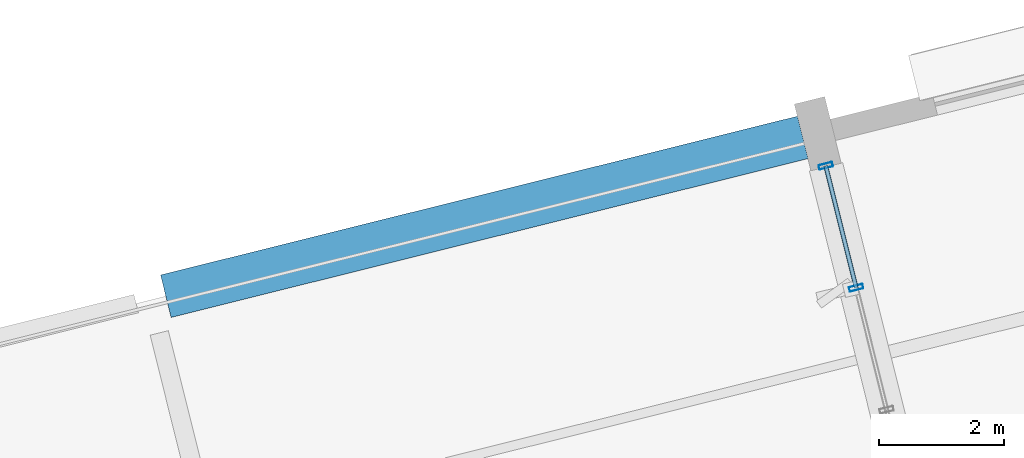
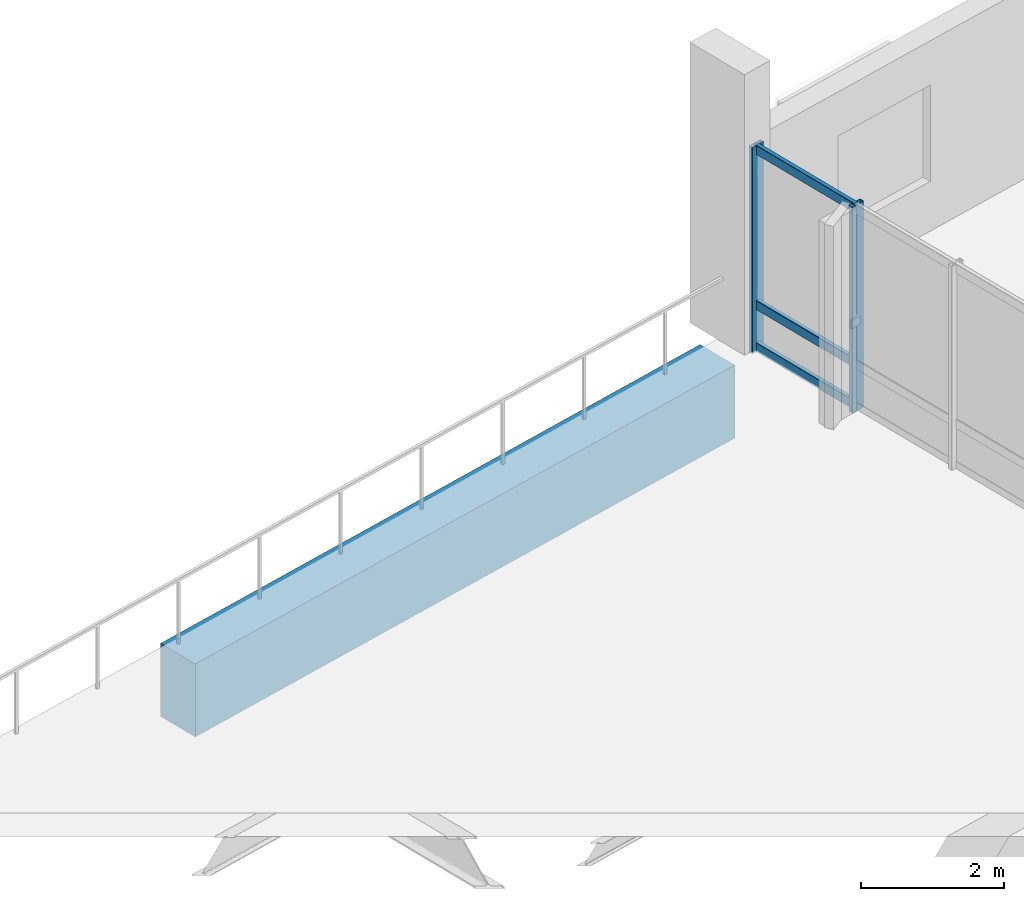
# One storey, part 90 of 137: 5 members, 1 beam, 1 element without a shape of its own.
"""IFC4 building model written with IfcOpenShell, lengths in metres."""

from ifc_helpers import new_model, si_unit, direction, frame, origin, origin_2d, place, context, subcontext, project, spatial, rectangle, hollow_rectangle, extrude, material, layer, layer_set, material_profile, profile_set, type_object, element, aggregate, save


model = new_model("IFC4")

# Units and contexts
model_context = context("Model", 3, precision=1e-05, world=origin(), true_north=direction((0.0, 1.0)))
body_context = subcontext(model_context, "Body", "Model", "MODEL_VIEW")
ifc_project = project(units=[si_unit("LENGTHUNIT", "METRE"), si_unit("AREAUNIT", "SQUARE_METRE"), si_unit("VOLUMEUNIT", "CUBIC_METRE"), si_unit("PLANEANGLEUNIT", "RADIAN"), si_unit("MASSUNIT", "GRAM", prefix="KILO")], contexts=[model_context])

# Site, building, storey
site_placement = place(None, origin())
site = spatial("IfcSite", under=ifc_project, at=site_placement, CompositionType="ELEMENT")
building_placement = place(site_placement, origin())
building = spatial("IfcBuilding", under=site, at=building_placement, Name="Khorjan Park Terminus", CompositionType="ELEMENT")
storey_placement = place(building_placement, frame((0.0, 0.0, 11.4)))
storey = spatial("IfcBuildingStorey", under=building, at=storey_placement, Name="L02", CompositionType="ELEMENT", Elevation=11.4)

# Beam
ifc_material_1 = material(Name="Concrete C40/50", Category="concrete")
ifc_material_profile_1 = material_profile(ifc_material_1, rectangle(XDim=0.7, YDim=1.25, at=origin_2d()), Name="RC 700x1250")
ifc_profile_set_1 = profile_set([ifc_material_profile_1], Name="Concrete C40/50")
beam_type = type_object("IfcBeamType", Name="BM-RC700x1250", PredefinedType="BEAM", material=ifc_profile_set_1)
beam_placement = place(storey_placement, frame((160.9441, 68.7599, -0.895), z_axis=(0.970295661671, 0.241922154716, 0.0), x_axis=(-0.241922154716, 0.970295661671, 0.0)))
element("IfcBeam", 1, at=beam_placement, inside=storey, type_object=beam_type, Name="Primary skew-grid floor girder GB-125 (L02)", PredefinedType="BEAM", context=body_context, shape_type="SweptSolid", body=[
    extrude(rectangle(XDim=0.7, YDim=1.25, at=origin_2d()), origin(), (0.0, 0.0, 1.0), 10.51),
])

# Curtain wall, members
ifc_material_2 = material(Name="Anodized Bronze Aluminium", Category="aluminium")
ifc_layer = layer(ifc_material_2, 0.22)
ifc_layer_set = layer_set([ifc_layer], Name="Anodized Bronze Aluminium")
curtain_wall_type = type_object("IfcCurtainWallType", Name="CW-OPS-B", PredefinedType="NOTDEFINED", material=ifc_layer_set)
curtain_wall_placement = place(storey_placement, origin())
curtain_wall = element("IfcCurtainWall", 2, at=curtain_wall_placement, inside=storey, type_object=curtain_wall_type, Name="Unitized curtain wall CW-B (CW-V5-NW1-L02-B01)", PredefinedType="NOTDEFINED")
ifc_material_profile_2 = material_profile(ifc_material_2, hollow_rectangle(XDim=0.075, YDim=0.225, WallThickness=0.005, InnerFilletRadius=0.005, OuterFilletRadius=0.01, at=origin_2d()), Name="ALM 75x225x5")
ifc_profile_set_2 = profile_set([ifc_material_profile_2], Name="Anodized Bronze Aluminium")
member_type_1 = type_object("IfcMemberType", Name="ML-ALM-225", PredefinedType="MULLION", material=ifc_profile_set_2)
member_1_placement = place(storey_placement, frame((171.5079, 70.8477, -0.035), z_axis=(0.0, 0.0, 1.0), x_axis=(0.241920791413, -0.97029600158, 0.0)))
member_1 = element("IfcMember", 3, at=member_1_placement, type_object=member_type_1, Name="Curtain-wall mullion ML-22 (CW-V5-NW1-L02-B01-0)", PredefinedType="MULLION", context=body_context, shape_type="SweptSolid", body=[
    extrude(hollow_rectangle(XDim=0.075, YDim=0.225, WallThickness=0.005, InnerFilletRadius=0.005, OuterFilletRadius=0.01, at=origin_2d()), origin(), (0.0, 0.0, 1.0), 3.525),
])
member_2_placement = place(storey_placement, frame((171.9949, 68.8944, -0.035), z_axis=(0.0, 0.0, 1.0), x_axis=(0.241920791413, -0.97029600158, 0.0)))
member_2 = element("IfcMember", 4, at=member_2_placement, type_object=member_type_1, Name="Curtain-wall mullion ML-22 (CW-V5-NW1-L02-B01-1)", PredefinedType="MULLION", context=body_context, shape_type="SweptSolid", body=[
    extrude(hollow_rectangle(XDim=0.075, YDim=0.225, WallThickness=0.005, InnerFilletRadius=0.005, OuterFilletRadius=0.01, at=origin_2d()), origin(), (0.0, 0.0, 1.0), 3.525),
])
ifc_material_profile_3 = material_profile(ifc_material_2, hollow_rectangle(XDim=0.07, YDim=0.16, WallThickness=0.004, InnerFilletRadius=0.004, OuterFilletRadius=0.008, at=origin_2d()), Name="ALT 70x160x4")
ifc_profile_set_3 = profile_set([ifc_material_profile_3], Name="Anodized Bronze Aluminium")
member_type_2 = type_object("IfcMemberType", Name="TR-ALT-160", PredefinedType="USERDEFINED", material=ifc_profile_set_3)
member_3_placement = place(storey_placement, frame((171.5079, 70.8477, 0.04), z_axis=(0.241916102061, -0.970297170749, 0.0), x_axis=(0.970297170749, 0.241916102061, 0.0)))
member_3 = element("IfcMember", 5, at=member_3_placement, type_object=member_type_2, Name="Curtain-wall transom TR-16 (CW-V5-NW1-L02-B01-0-1)", ObjectType="TRANSOM", PredefinedType="USERDEFINED", context=body_context, shape_type="SweptSolid", body=[
    extrude(hollow_rectangle(XDim=0.07, YDim=0.16, WallThickness=0.004, InnerFilletRadius=0.004, OuterFilletRadius=0.008, at=origin_2d()), origin(), (0.0, 0.0, 1.0), 2.0131),
])
member_4_placement = place(storey_placement, frame((171.5079, 70.8477, 0.76), z_axis=(0.241916102061, -0.970297170749, 0.0), x_axis=(0.970297170749, 0.241916102061, 0.0)))
member_4 = element("IfcMember", 6, at=member_4_placement, type_object=member_type_2, Name="Curtain-wall transom TR-16 (CW-V5-NW1-L02-B01-0-2)", ObjectType="TRANSOM", PredefinedType="USERDEFINED", context=body_context, shape_type="SweptSolid", body=[
    extrude(hollow_rectangle(XDim=0.07, YDim=0.16, WallThickness=0.004, InnerFilletRadius=0.004, OuterFilletRadius=0.008, at=origin_2d()), origin(), (0.0, 0.0, 1.0), 2.0131),
])
member_5_placement = place(storey_placement, frame((171.5079, 70.8477, 3.415), z_axis=(0.241916102061, -0.970297170749, 0.0), x_axis=(0.970297170749, 0.241916102061, 0.0)))
member_5 = element("IfcMember", 7, at=member_5_placement, type_object=member_type_2, Name="Curtain-wall transom TR-16 (CW-V5-NW1-L02-B01-0-3)", ObjectType="TRANSOM", PredefinedType="USERDEFINED", context=body_context, shape_type="SweptSolid", body=[
    extrude(hollow_rectangle(XDim=0.07, YDim=0.16, WallThickness=0.004, InnerFilletRadius=0.004, OuterFilletRadius=0.008, at=origin_2d()), origin(), (0.0, 0.0, 1.0), 2.0131),
])
aggregate(curtain_wall, [member_1, member_2, member_3, member_4, member_5])

save(model, "model.ifc")
